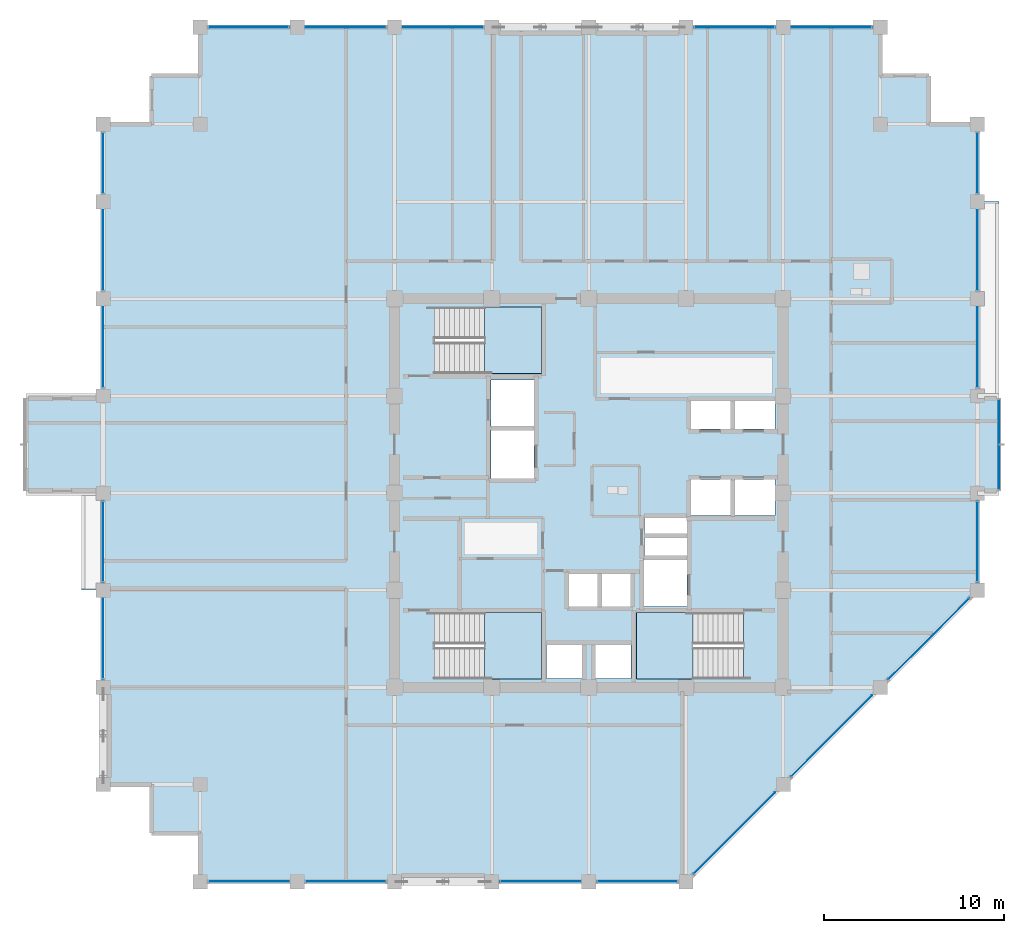
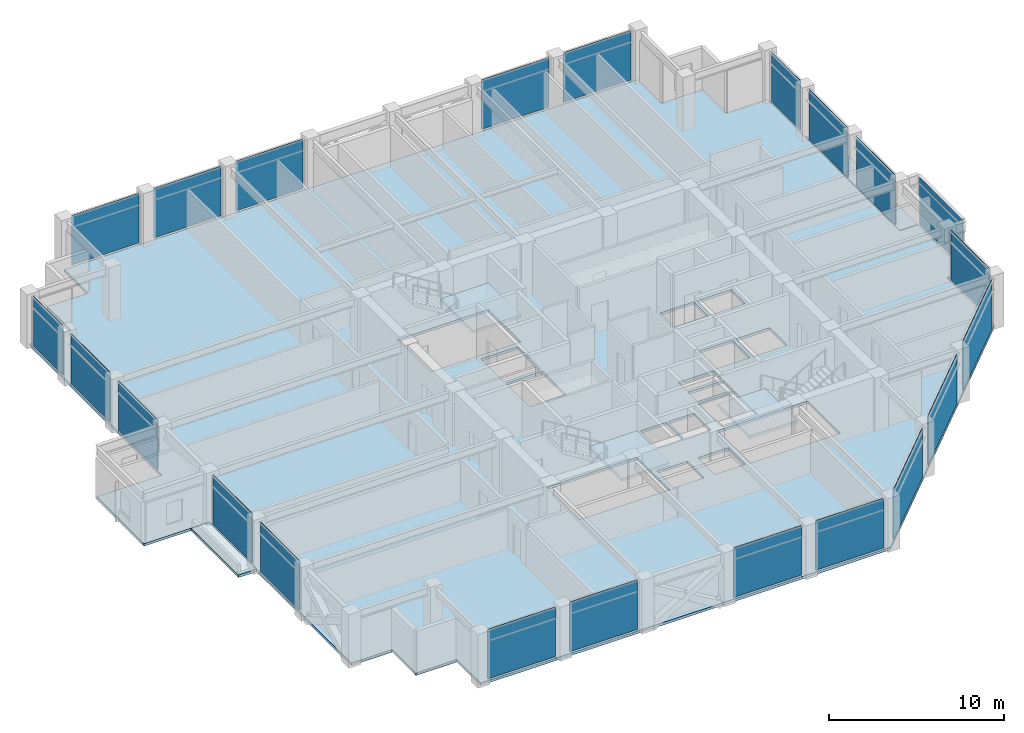
# One storey, part 21 of 28: 22 plates, 6 slabs, 13 elements without a shape of their own.
"""IFC4 building model written with IfcOpenShell, lengths in metres."""

from ifc_helpers import new_model, si_unit, direction, frame, frame_2d, origin, place, context, subcontext, project, spatial, polyline, rectangle, outline, extrude, material, layer, layer_set, type_object, element, aggregate, save


model = new_model("IFC4")

# Units and contexts
model_context = context("Model", 3, precision=1e-05, world=origin(), true_north=direction((0.0, 1.0)))
body_context = subcontext(model_context, "Body", "Model", "MODEL_VIEW")
ifc_project = project(units=[si_unit("LENGTHUNIT", "METRE"), si_unit("AREAUNIT", "SQUARE_METRE"), si_unit("VOLUMEUNIT", "CUBIC_METRE"), si_unit("PLANEANGLEUNIT", "RADIAN"), si_unit("MASSUNIT", "GRAM", prefix="KILO")], contexts=[model_context])

# Site, building, storey
site_placement = place(None, origin())
site = spatial("IfcSite", under=ifc_project, at=site_placement, CompositionType="ELEMENT")
building_placement = place(site_placement, origin())
building = spatial("IfcBuilding", under=site, at=building_placement, Name="Surkhivell Harbour Commons", CompositionType="ELEMENT")
storey_placement = place(building_placement, frame((0.0, 0.0, 238.5)))
storey = spatial("IfcBuildingStorey", under=building, at=storey_placement, Name="L62", CompositionType="ELEMENT", Elevation=238.5)

# Curtain wall, plate
ifc_material_1 = material(Name="Anodised pale-metal aluminium and insulated glazing", Category="aluminium")
ifc_layer_1 = layer(ifc_material_1, 0.1650390625)
ifc_layer_set_1 = layer_set([ifc_layer_1], Name="Anodised pale-metal aluminium and insulated glazing")
curtain_wall_type_1 = type_object("IfcCurtainWallType", Name="CW-SYS-BOX", PredefinedType="NOTDEFINED", material=ifc_layer_set_1)
curtain_wall_1_placement = place(storey_placement, origin())
curtain_wall_1 = element("IfcCurtainWall", 1, at=curtain_wall_1_placement, inside=storey, type_object=curtain_wall_type_1, Name="L62 Curtain Wall CW-L62-BOX01", PredefinedType="NOTDEFINED")
ifc_material_2 = material(Name="Triple-glazed bay-cluster vision glass", Category="glass")
ifc_layer_2 = layer(ifc_material_2, 0.028076171875)
ifc_layer_set_2 = layer_set([ifc_layer_2], Name="Triple-glazed bay-cluster vision glass")
plate_type_1 = type_object("IfcPlateType", Name="CWP-GLZ-28", PredefinedType="CURTAIN_PANEL", material=ifc_layer_set_2)
plate_1_placement = place(storey_placement, frame((22.800048828125, 0.219970703125, 0.1298828125), z_axis=(0.0, 0.0, 1.0), x_axis=(0.0, 1.0, 0.0)))
plate_1 = element("IfcPlate", 2, at=plate_1_placement, type_object=plate_type_1, Name="CW-BOX panel 1.1", PredefinedType="CURTAIN_PANEL", context=body_context, shape_type="SweptSolid", body=[
    extrude(rectangle(XDim=4.9599609375, YDim=0.028076171875, at=frame_2d((2.47998046875, 0.0))), origin(), (0.0, 0.0, 1.0), 3.31005859375),
])
aggregate(curtain_wall_1, [plate_1])

# Curtain wall, plates
ifc_layer_3 = layer(ifc_material_1, 0.18994140625)
ifc_layer_set_3 = layer_set([ifc_layer_3], Name="Anodised pale-metal aluminium and insulated glazing")
curtain_wall_type_2 = type_object("IfcCurtainWallType", Name="CW-SYS-Z3", PredefinedType="NOTDEFINED", material=ifc_layer_set_3)
curtain_wall_2_placement = place(storey_placement, origin())
curtain_wall_2 = element("IfcCurtainWall", 3, at=curtain_wall_2_placement, inside=storey, type_object=curtain_wall_type_2, Name="L62 Curtain Wall CW-L62-E00S1", PredefinedType="NOTDEFINED")
ifc_material_3 = material(Name="High-pressure typhoon laminated vision glass", Category="glass")
ifc_layer_4 = layer(ifc_material_3, 0.035888671875)
ifc_layer_set_4 = layer_set([ifc_layer_4], Name="High-pressure typhoon laminated vision glass")
plate_type_2 = type_object("IfcPlateType", Name="CWP-GLZ-36", PredefinedType="CURTAIN_PANEL", material=ifc_layer_set_4)
plate_2_placement = place(storey_placement, frame((-21.123046875, -21.60009765625, 0.1298828125), z_axis=(0.0, 0.0, 1.0), x_axis=(1.0, 0.0, 0.0)))
plate_2 = element("IfcPlate", 4, at=plate_2_placement, type_object=plate_type_2, Name="CW-Z3 panel 1.1", PredefinedType="CURTAIN_PANEL", context=body_context, shape_type="SweptSolid", body=[
    extrude(rectangle(XDim=4.446044921875, YDim=0.035888671875, at=frame_2d((2.22314453125, 0.0))), origin(), (0.0, 0.0, 1.0), 3.440185546875),
])
plate_3_placement = place(storey_placement, frame((-15.722900390625, -21.60009765625, 0.1298828125), z_axis=(0.0, 0.0, 1.0), x_axis=(1.0, 0.0, 0.0)))
plate_3 = element("IfcPlate", 5, at=plate_3_placement, type_object=plate_type_2, Name="CW-Z3 panel 2.1", PredefinedType="CURTAIN_PANEL", context=body_context, shape_type="SweptSolid", body=[
    extrude(rectangle(XDim=4.44580078125, YDim=0.035888671875, at=frame_2d((2.222900390625, 0.0))), origin(), (0.0, 0.0, 1.0), 3.440185546875),
])
aggregate(curtain_wall_2, [plate_2, plate_3])

curtain_wall_3_placement = place(storey_placement, origin())
curtain_wall_3 = element("IfcCurtainWall", 6, at=curtain_wall_3_placement, inside=storey, type_object=curtain_wall_type_2, Name="L62 Curtain Wall CW-L62-E00S2", PredefinedType="NOTDEFINED")
plate_4_placement = place(storey_placement, frame((-4.923095703125, -21.60009765625, 0.1298828125), z_axis=(0.0, 0.0, 1.0), x_axis=(1.0, 0.0, 0.0)))
plate_4 = element("IfcPlate", 7, at=plate_4_placement, type_object=plate_type_2, Name="CW-Z3 panel 1.1", PredefinedType="CURTAIN_PANEL", context=body_context, shape_type="SweptSolid", body=[
    extrude(rectangle(XDim=4.446044921875, YDim=0.035888671875, at=frame_2d((2.22314453125, 0.0))), origin(), (0.0, 0.0, 1.0), 3.440185546875),
])
plate_5_placement = place(storey_placement, frame((0.47705078125, -21.60009765625, 0.1298828125), z_axis=(0.0, 0.0, 1.0), x_axis=(1.0, 0.0, 0.0)))
plate_5 = element("IfcPlate", 8, at=plate_5_placement, type_object=plate_type_2, Name="CW-Z3 panel 2.1", PredefinedType="CURTAIN_PANEL", context=body_context, shape_type="SweptSolid", body=[
    extrude(rectangle(XDim=4.446044921875, YDim=0.035888671875, at=frame_2d((2.22314453125, 0.0))), origin(), (0.0, 0.0, 1.0), 3.440185546875),
])
aggregate(curtain_wall_3, [plate_4, plate_5])

curtain_wall_4_placement = place(storey_placement, origin())
curtain_wall_4 = element("IfcCurtainWall", 9, at=curtain_wall_4_placement, inside=storey, type_object=curtain_wall_type_2, Name="L62 Curtain Wall CW-L62-E01", PredefinedType="NOTDEFINED")
plate_6_placement = place(storey_placement, frame((5.854736328125, -21.145263671875, 0.1298828125), z_axis=(0.0, 0.0, 1.0), x_axis=(0.707106781187, 0.707106781187, 0.0)))
plate_6 = element("IfcPlate", 10, at=plate_6_placement, type_object=plate_type_2, Name="CW-Z3 panel 1.1", PredefinedType="CURTAIN_PANEL", context=body_context, shape_type="SweptSolid", body=[
    extrude(rectangle(XDim=6.3505859375, YDim=0.035888671875, at=frame_2d((3.17529296875, 0.0))), origin(), (0.0, 0.0, 1.0), 3.440185546875),
])
plate_7_placement = place(storey_placement, frame((11.254638671875, -15.745361328125, 0.1298828125), z_axis=(0.0, 0.0, 1.0), x_axis=(0.707106781187, 0.707106781187, 0.0)))
plate_7 = element("IfcPlate", 11, at=plate_7_placement, type_object=plate_type_2, Name="CW-Z3 panel 2.1", PredefinedType="CURTAIN_PANEL", context=body_context, shape_type="SweptSolid", body=[
    extrude(rectangle(XDim=6.350830078125, YDim=0.035888671875, at=frame_2d((3.17529296875, 0.0))), origin(), (0.0, 0.0, 1.0), 3.440185546875),
])
plate_8_placement = place(storey_placement, frame((16.65478515625, -10.34521484375, 0.1298828125), z_axis=(0.0, 0.0, 1.0), x_axis=(0.707106781187, 0.707106781187, 0.0)))
plate_8 = element("IfcPlate", 12, at=plate_8_placement, type_object=plate_type_2, Name="CW-Z3 panel 3.1", PredefinedType="CURTAIN_PANEL", context=body_context, shape_type="SweptSolid", body=[
    extrude(rectangle(XDim=6.3505859375, YDim=0.035888671875, at=frame_2d((3.17529296875, 0.0))), origin(), (0.0, 0.0, 1.0), 3.440185546875),
])
aggregate(curtain_wall_4, [plate_6, plate_7, plate_8])

# Curtain wall, plate
curtain_wall_5_placement = place(storey_placement, origin())
curtain_wall_5 = element("IfcCurtainWall", 13, at=curtain_wall_5_placement, inside=storey, type_object=curtain_wall_type_2, Name="L62 Curtain Wall CW-L62-E02R1", PredefinedType="NOTDEFINED")
plate_9_placement = place(storey_placement, frame((21.60009765625, -4.923095703125, 0.1298828125), z_axis=(0.0, 0.0, 1.0), x_axis=(0.0, 1.0, 0.0)))
plate_9 = element("IfcPlate", 14, at=plate_9_placement, type_object=plate_type_2, Name="CW-Z3 panel 1.1", PredefinedType="CURTAIN_PANEL", context=body_context, shape_type="SweptSolid", body=[
    extrude(rectangle(XDim=4.446044921875, YDim=0.035888671875, at=frame_2d((2.22314453125, 0.0))), origin(), (0.0, 0.0, 1.0), 3.440185546875),
])
aggregate(curtain_wall_5, [plate_9])

# Curtain wall, plates
curtain_wall_6_placement = place(storey_placement, origin())
curtain_wall_6 = element("IfcCurtainWall", 15, at=curtain_wall_6_placement, inside=storey, type_object=curtain_wall_type_2, Name="L62 Curtain Wall CW-L62-E02R2", PredefinedType="NOTDEFINED")
plate_10_placement = place(storey_placement, frame((21.60009765625, 5.876953125, 0.1298828125), z_axis=(0.0, 0.0, 1.0), x_axis=(0.0, 1.0, 0.0)))
plate_10 = element("IfcPlate", 16, at=plate_10_placement, type_object=plate_type_2, Name="CW-Z3 panel 1.1", PredefinedType="CURTAIN_PANEL", context=body_context, shape_type="SweptSolid", body=[
    extrude(rectangle(XDim=4.446044921875, YDim=0.035888671875, at=frame_2d((2.22314453125, 0.0))), origin(), (0.0, 0.0, 1.0), 3.440185546875),
])
plate_11_placement = place(storey_placement, frame((21.60009765625, 11.277099609375, 0.1298828125), z_axis=(0.0, 0.0, 1.0), x_axis=(0.0, 1.0, 0.0)))
plate_11 = element("IfcPlate", 17, at=plate_11_placement, type_object=plate_type_2, Name="CW-Z3 panel 2.1", PredefinedType="CURTAIN_PANEL", context=body_context, shape_type="SweptSolid", body=[
    extrude(rectangle(XDim=4.44580078125, YDim=0.035888671875, at=frame_2d((2.222900390625, 0.0))), origin(), (0.0, 0.0, 1.0), 3.440185546875),
])
plate_12_placement = place(storey_placement, frame((21.60009765625, 16.677001953125, 0.1298828125), z_axis=(0.0, 0.0, 1.0), x_axis=(0.0, 1.0, 0.0)))
plate_12 = element("IfcPlate", 18, at=plate_12_placement, type_object=plate_type_2, Name="CW-Z3 panel 3.1", PredefinedType="CURTAIN_PANEL", context=body_context, shape_type="SweptSolid", body=[
    extrude(rectangle(XDim=3.345947265625, YDim=0.035888671875, at=frame_2d((1.6728515625, 0.0))), origin(), (0.0, 0.0, 1.0), 3.440185546875),
])
aggregate(curtain_wall_6, [plate_10, plate_11, plate_12])

curtain_wall_7_placement = place(storey_placement, origin())
curtain_wall_7 = element("IfcCurtainWall", 19, at=curtain_wall_7_placement, inside=storey, type_object=curtain_wall_type_2, Name="L62 Curtain Wall CW-L62-E07S1", PredefinedType="NOTDEFINED")
plate_13_placement = place(storey_placement, frame((15.722900390625, 25.89990234375, 0.1298828125), z_axis=(0.0, 0.0, 1.0), x_axis=(-1.0, 0.0, 0.0)))
plate_13 = element("IfcPlate", 20, at=plate_13_placement, type_object=plate_type_2, Name="CW-Z3 panel 1.1", PredefinedType="CURTAIN_PANEL", context=body_context, shape_type="SweptSolid", body=[
    extrude(rectangle(XDim=4.44580078125, YDim=0.035888671875, at=frame_2d((2.222900390625, 0.0))), origin(), (0.0, 0.0, 1.0), 3.440185546875),
])
plate_14_placement = place(storey_placement, frame((10.322998046875, 25.89990234375, 0.1298828125), z_axis=(0.0, 0.0, 1.0), x_axis=(-1.0, 0.0, 0.0)))
plate_14 = element("IfcPlate", 21, at=plate_14_placement, type_object=plate_type_2, Name="CW-Z3 panel 2.1", PredefinedType="CURTAIN_PANEL", context=body_context, shape_type="SweptSolid", body=[
    extrude(rectangle(XDim=4.446044921875, YDim=0.035888671875, at=frame_2d((2.22314453125, 0.0))), origin(), (0.0, 0.0, 1.0), 3.440185546875),
])
aggregate(curtain_wall_7, [plate_13, plate_14])

curtain_wall_8_placement = place(storey_placement, origin())
curtain_wall_8 = element("IfcCurtainWall", 22, at=curtain_wall_8_placement, inside=storey, type_object=curtain_wall_type_2, Name="L62 Curtain Wall CW-L62-E07S2", PredefinedType="NOTDEFINED")
plate_15_placement = place(storey_placement, frame((-5.876953125, 25.89990234375, 0.1298828125), z_axis=(0.0, 0.0, 1.0), x_axis=(-1.0, 0.0, 0.0)))
plate_15 = element("IfcPlate", 23, at=plate_15_placement, type_object=plate_type_2, Name="CW-Z3 panel 1.1", PredefinedType="CURTAIN_PANEL", context=body_context, shape_type="SweptSolid", body=[
    extrude(rectangle(XDim=4.446044921875, YDim=0.035888671875, at=frame_2d((2.22314453125, 0.0))), origin(), (0.0, 0.0, 1.0), 3.440185546875),
])
plate_16_placement = place(storey_placement, frame((-11.277099609375, 25.89990234375, 0.1298828125), z_axis=(0.0, 0.0, 1.0), x_axis=(-1.0, 0.0, 0.0)))
plate_16 = element("IfcPlate", 24, at=plate_16_placement, type_object=plate_type_2, Name="CW-Z3 panel 2.1", PredefinedType="CURTAIN_PANEL", context=body_context, shape_type="SweptSolid", body=[
    extrude(rectangle(XDim=4.44580078125, YDim=0.035888671875, at=frame_2d((2.222900390625, 0.0))), origin(), (0.0, 0.0, 1.0), 3.440185546875),
])
plate_17_placement = place(storey_placement, frame((-16.677001953125, 25.89990234375, 0.1298828125), z_axis=(0.0, 0.0, 1.0), x_axis=(-1.0, 0.0, 0.0)))
plate_17 = element("IfcPlate", 25, at=plate_17_placement, type_object=plate_type_2, Name="CW-Z3 panel 3.1", PredefinedType="CURTAIN_PANEL", context=body_context, shape_type="SweptSolid", body=[
    extrude(rectangle(XDim=4.446044921875, YDim=0.035888671875, at=frame_2d((2.22314453125, 0.0))), origin(), (0.0, 0.0, 1.0), 3.440185546875),
])
aggregate(curtain_wall_8, [plate_15, plate_16, plate_17])

curtain_wall_9_placement = place(storey_placement, origin())
curtain_wall_9 = element("IfcCurtainWall", 26, at=curtain_wall_9_placement, inside=storey, type_object=curtain_wall_type_2, Name="L62 Curtain Wall CW-L62-E12R1S1", PredefinedType="NOTDEFINED")
plate_18_placement = place(storey_placement, frame((-27.0, -10.322998046875, 0.1298828125), z_axis=(0.0, 0.0, 1.0), x_axis=(0.0, 1.0, 0.0)))
plate_18 = element("IfcPlate", 27, at=plate_18_placement, type_object=plate_type_2, Name="CW-Z3 panel 1.1", PredefinedType="CURTAIN_PANEL", context=body_context, shape_type="SweptSolid", body=[
    extrude(rectangle(XDim=4.446044921875, YDim=0.035888671875, at=frame_2d((2.22314453125, 0.0))), origin(), (0.0, 0.0, 1.0), 3.440185546875),
])
plate_19_placement = place(storey_placement, frame((-27.0, -4.923095703125, 0.1298828125), z_axis=(0.0, 0.0, 1.0), x_axis=(0.0, 1.0, 0.0)))
plate_19 = element("IfcPlate", 28, at=plate_19_placement, type_object=plate_type_2, Name="CW-Z3 panel 2.1", PredefinedType="CURTAIN_PANEL", context=body_context, shape_type="SweptSolid", body=[
    extrude(rectangle(XDim=4.446044921875, YDim=0.035888671875, at=frame_2d((2.22314453125, 0.0))), origin(), (0.0, 0.0, 1.0), 3.440185546875),
])
aggregate(curtain_wall_9, [plate_18, plate_19])

curtain_wall_10_placement = place(storey_placement, origin())
curtain_wall_10 = element("IfcCurtainWall", 29, at=curtain_wall_10_placement, inside=storey, type_object=curtain_wall_type_2, Name="L62 Curtain Wall CW-L62-E12R2", PredefinedType="NOTDEFINED")
plate_20_placement = place(storey_placement, frame((-27.0, 5.876953125, 0.1298828125), z_axis=(0.0, 0.0, 1.0), x_axis=(0.0, 1.0, 0.0)))
plate_20 = element("IfcPlate", 30, at=plate_20_placement, type_object=plate_type_2, Name="CW-Z3 panel 1.1", PredefinedType="CURTAIN_PANEL", context=body_context, shape_type="SweptSolid", body=[
    extrude(rectangle(XDim=4.446044921875, YDim=0.035888671875, at=frame_2d((2.22314453125, 0.0))), origin(), (0.0, 0.0, 1.0), 3.440185546875),
])
plate_21_placement = place(storey_placement, frame((-27.0, 11.277099609375, 0.1298828125), z_axis=(0.0, 0.0, 1.0), x_axis=(0.0, 1.0, 0.0)))
plate_21 = element("IfcPlate", 31, at=plate_21_placement, type_object=plate_type_2, Name="CW-Z3 panel 2.1", PredefinedType="CURTAIN_PANEL", context=body_context, shape_type="SweptSolid", body=[
    extrude(rectangle(XDim=4.44580078125, YDim=0.035888671875, at=frame_2d((2.222900390625, 0.0))), origin(), (0.0, 0.0, 1.0), 3.440185546875),
])
plate_22_placement = place(storey_placement, frame((-27.0, 16.677001953125, 0.1298828125), z_axis=(0.0, 0.0, 1.0), x_axis=(0.0, 1.0, 0.0)))
plate_22 = element("IfcPlate", 32, at=plate_22_placement, type_object=plate_type_2, Name="CW-Z3 panel 3.1", PredefinedType="CURTAIN_PANEL", context=body_context, shape_type="SweptSolid", body=[
    extrude(rectangle(XDim=3.345947265625, YDim=0.035888671875, at=frame_2d((1.6728515625, 0.0))), origin(), (0.0, 0.0, 1.0), 3.440185546875),
])
aggregate(curtain_wall_10, [plate_20, plate_21, plate_22])

# Slabs
ifc_material_4 = material(Name="Concrete C45/55", Category="concrete")
ifc_layer_5 = layer(ifc_material_4, 0.179931640625)
ifc_layer_set_5 = layer_set([ifc_layer_5], Name="Concrete C45/55")
slab_type_1 = type_object("IfcSlabType", Name="SLB-BOXRF-180", PredefinedType="ROOF", material=ifc_layer_set_5)
slab_1_placement = place(storey_placement, frame((0.0, 0.0, -0.179931640625)))
element("IfcSlab", 33, at=slab_1_placement, inside=storey, type_object=slab_type_1, Name="L62 Closed Box-Cluster Roof Slab 1", PredefinedType="ROOF", context=body_context, shape_type="SweptSolid", body=[
    extrude(outline(polyline([(22.800048828125, 16.199951171875), (21.6201171875, 16.199951171875), (21.6201171875, 5.419921875), (22.800048828125, 5.419921875), (22.800048828125, 16.199951171875)])), origin(), (0.0, 0.0, 1.0), 0.179931640625),
])
slab_2_placement = place(storey_placement, frame((0.0, 0.0, -0.179931640625)))
element("IfcSlab", 34, at=slab_2_placement, inside=storey, type_object=slab_type_1, Name="L62 Closed Box-Cluster Roof Slab 2", PredefinedType="ROOF", context=body_context, shape_type="SweptSolid", body=[
    extrude(outline(polyline([(-28.199951171875, -5.39990234375), (-27.02001953125, -5.39990234375), (-27.02001953125, -0.02001953125), (-28.199951171875, -0.02001953125), (-28.199951171875, -5.39990234375)])), origin(), (0.0, 0.0, 1.0), 0.179931640625),
])

# Stair, slab
ifc_material_5 = material(Name="Precast concrete C45/55", Category="concrete")
stair_type = type_object("IfcStairType", Name="STR-DL-375", PredefinedType="HALF_TURN_STAIR", material=ifc_material_5)
stair_1_placement = place(storey_placement, origin())
stair_1 = element("IfcStair", 35, at=stair_1_placement, inside=storey, type_object=stair_type, Name="L62 Core Exit Stair ST1", PredefinedType="HALF_TURN_STAIR")
ifc_material_6 = material(Name="Reinforced concrete C45/55", Category="concrete")
ifc_layer_6 = layer(ifc_material_6, 0.199951171875)
ifc_layer_set_6 = layer_set([ifc_layer_6], Name="Reinforced concrete C45/55")
slab_type_2 = type_object("IfcSlabType", Name="SLB-ST-LND200", PredefinedType="LANDING", material=ifc_layer_set_6)
slab_3_placement = place(storey_placement, frame((0.0, 0.0, 1.675048828125)))
slab_3 = element("IfcSlab", 36, at=slab_3_placement, type_object=slab_type_2, Name="ST1 landing 1", PredefinedType="LANDING", context=body_context, shape_type="SweptSolid", body=[
    extrude(outline(polyline([(-5.7900390625, 6.639892578125), (-2.639892578125, 6.639892578125), (-2.639892578125, 10.340087890625), (-5.7900390625, 10.340087890625), (-5.7900390625, 6.639892578125)])), origin(), (0.0, 0.0, 1.0), 0.199951171875),
])
aggregate(stair_1, [slab_3])

stair_2_placement = place(storey_placement, origin())
stair_2 = element("IfcStair", 37, at=stair_2_placement, inside=storey, type_object=stair_type, Name="L62 Core Exit Stair ST2", PredefinedType="HALF_TURN_STAIR")
slab_4_placement = place(storey_placement, frame((0.0, 0.0, 1.675048828125)))
slab_4 = element("IfcSlab", 38, at=slab_4_placement, type_object=slab_type_2, Name="ST2 landing 1", PredefinedType="LANDING", context=body_context, shape_type="SweptSolid", body=[
    extrude(outline(polyline([(5.7900390625, -6.639892578125), (2.639892578125, -6.639892578125), (2.639892578125, -10.340087890625), (5.7900390625, -10.340087890625), (5.7900390625, -6.639892578125)])), origin(), (0.0, 0.0, 1.0), 0.199951171875),
])
aggregate(stair_2, [slab_4])

stair_3_placement = place(storey_placement, origin())
stair_3 = element("IfcStair", 39, at=stair_3_placement, inside=storey, type_object=stair_type, Name="L62 Core Exit Stair ST3", PredefinedType="HALF_TURN_STAIR")
slab_5_placement = place(storey_placement, frame((0.0, 0.0, 1.675048828125)))
slab_5 = element("IfcSlab", 40, at=slab_5_placement, type_object=slab_type_2, Name="ST3 landing 1", PredefinedType="LANDING", context=body_context, shape_type="SweptSolid", body=[
    extrude(outline(polyline([(-5.7900390625, -10.340087890625), (-2.639892578125, -10.340087890625), (-2.639892578125, -6.639892578125), (-5.7900390625, -6.639892578125), (-5.7900390625, -10.340087890625)])), origin(), (0.0, 0.0, 1.0), 0.199951171875),
])
aggregate(stair_3, [slab_5])

# Slab
ifc_layer_7 = layer(ifc_material_4, 0.179931640625)
ifc_layer_set_7 = layer_set([ifc_layer_7], Name="Concrete C45/55")
slab_type_3 = type_object("IfcSlabType", Name="SLB-TYP-180", PredefinedType="FLOOR", material=ifc_layer_set_7)
slab_6_placement = place(storey_placement, frame((0.0, 0.0, -0.179931640625)))
element("IfcSlab", 41, at=slab_6_placement, inside=storey, type_object=slab_type_3, Name="L62 Structural Floor Slab", PredefinedType="FLOOR", context=body_context, shape_type="SweptSolid", body=[
    extrude(outline(polyline([(-27.0, 20.5), (-27.0, 5.39990234375), (-31.300048828125, 5.39990234375), (-31.300048828125, 0.0), (-27.0, 0.0), (-27.0, -16.199951171875), (-24.300048828125, -16.199951171875), (-24.300048828125, -18.89990234375), (-21.60009765625, -18.89990234375), (-21.60009765625, -21.60009765625), (5.39990234375, -21.60009765625), (21.60009765625, -5.39990234375), (21.60009765625, 0.0), (22.800048828125, 0.0), (22.800048828125, 5.39990234375), (21.60009765625, 5.39990234375), (21.60009765625, 20.5), (18.89990234375, 20.5), (18.89990234375, 23.199951171875), (16.199951171875, 23.199951171875), (16.199951171875, 25.89990234375), (-21.60009765625, 25.89990234375), (-21.60009765625, 23.199951171875), (-24.300048828125, 23.199951171875), (-24.300048828125, 20.5), (-27.0, 20.5)]), holes=[polyline([(-8.590087890625, 6.639892578125), (-2.639892578125, 6.639892578125), (-2.639892578125, 10.340087890625), (-8.590087890625, 10.340087890625), (-8.590087890625, 6.639892578125)]), polyline([(8.590087890625, -6.639892578125), (2.639892578125, -6.639892578125), (2.639892578125, -10.340087890625), (8.590087890625, -10.340087890625), (8.590087890625, -6.639892578125)]), polyline([(-8.590087890625, -10.340087890625), (-2.639892578125, -10.340087890625), (-2.639892578125, -6.639892578125), (-8.590087890625, -6.639892578125), (-8.590087890625, -10.340087890625)]), polyline([(5.64990234375, 3.550048828125), (7.89990234375, 3.550048828125), (7.89990234375, 5.14990234375), (5.64990234375, 5.14990234375), (5.64990234375, 3.550048828125)]), polyline([(8.10009765625, 3.550048828125), (10.35009765625, 3.550048828125), (10.35009765625, 5.14990234375), (8.10009765625, 5.14990234375), (8.10009765625, 3.550048828125)]), polyline([(5.64990234375, -1.25), (7.89990234375, -1.25), (7.89990234375, 0.75), (5.64990234375, 0.75), (5.64990234375, -1.25)]), polyline([(8.10009765625, -1.25), (10.35009765625, -1.25), (10.35009765625, 0.75), (8.10009765625, 0.75), (8.10009765625, -1.25)]), polyline([(-1.14990234375, -6.35009765625), (0.550048828125, -6.35009765625), (0.550048828125, -4.449951171875), (-1.14990234375, -4.449951171875), (-1.14990234375, -6.35009765625)]), polyline([(0.679931640625, -6.35009765625), (2.3798828125, -6.35009765625), (2.3798828125, -4.449951171875), (0.679931640625, -4.449951171875), (0.679931640625, -6.35009765625)]), polyline([(-2.35009765625, -10.300048828125), (-0.35009765625, -10.300048828125), (-0.35009765625, -8.39990234375), (-2.35009765625, -8.39990234375), (-2.35009765625, -10.300048828125)]), polyline([(0.35009765625, -10.300048828125), (2.35009765625, -10.300048828125), (2.35009765625, -8.39990234375), (0.35009765625, -8.39990234375), (0.35009765625, -10.300048828125)]), polyline([(-5.449951171875, 3.699951171875), (-3.050048828125, 3.699951171875), (-3.050048828125, 6.300048828125), (-5.449951171875, 6.300048828125), (-5.449951171875, 3.699951171875)]), polyline([(3.050048828125, -6.300048828125), (5.449951171875, -6.300048828125), (5.449951171875, -3.699951171875), (3.050048828125, -3.699951171875), (3.050048828125, -6.300048828125)]), polyline([(-5.449951171875, 0.800048828125), (-3.050048828125, 0.800048828125), (-3.050048828125, 3.5), (-5.449951171875, 3.5), (-5.449951171875, 0.800048828125)]), polyline([(3.10009765625, -3.550048828125), (5.449951171875, -3.550048828125), (5.449951171875, -2.47998046875), (3.10009765625, -2.47998046875), (3.10009765625, -3.550048828125)]), polyline([(3.10009765625, -2.280029296875), (5.449951171875, -2.280029296875), (5.449951171875, -1.35009765625), (3.10009765625, -1.35009765625), (3.10009765625, -2.280029296875)])]), origin(), (0.0, 0.0, 1.0), 0.179931640625),
])

save(model, "model.ifc")
